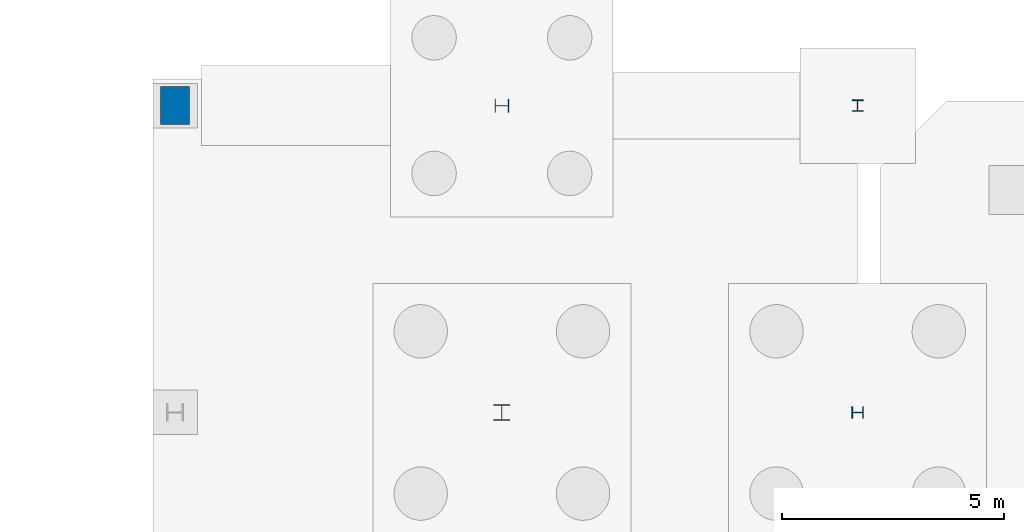
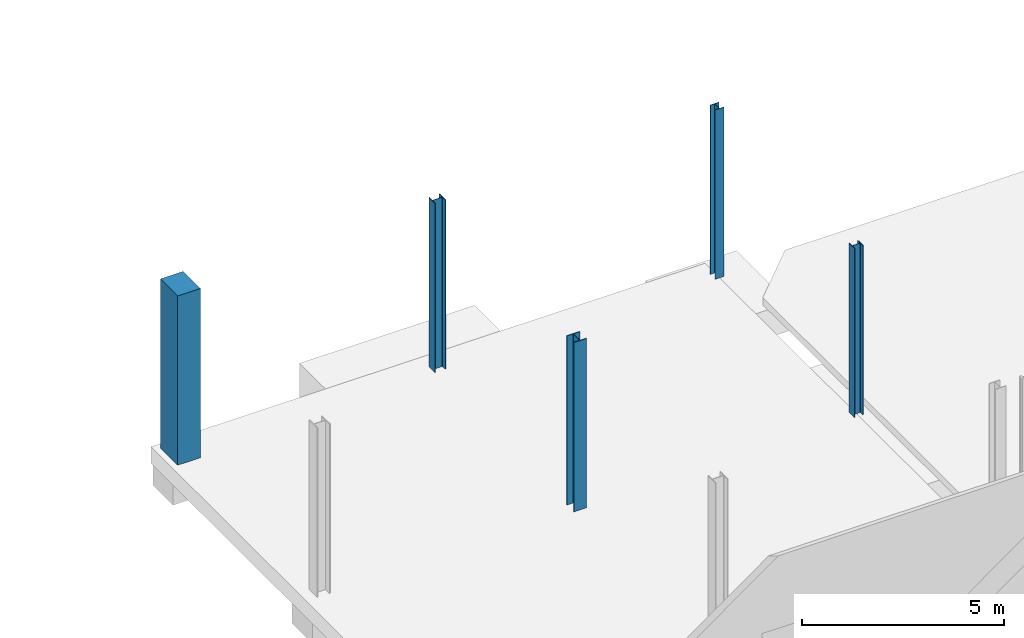
# One storey, part 26 of 87: 5 columns.
"""IFC4 building model written with IfcOpenShell, lengths in metres."""

from ifc_helpers import new_model, si_unit, direction, frame, origin, origin_2d, place, context, subcontext, project, spatial, rectangle, i_section, extrude, material, material_profile, profile_set, type_object, element, save


model = new_model("IFC4")

# Units and contexts
model_context = context("Model", 3, precision=1e-05, world=origin(), true_north=direction((0.0, 1.0)))
body_context = subcontext(model_context, "Body", "Model", "MODEL_VIEW")
ifc_project = project(units=[si_unit("LENGTHUNIT", "METRE"), si_unit("AREAUNIT", "SQUARE_METRE"), si_unit("VOLUMEUNIT", "CUBIC_METRE"), si_unit("PLANEANGLEUNIT", "RADIAN"), si_unit("MASSUNIT", "GRAM", prefix="KILO")], contexts=[model_context])

# Site, building, storey
site_placement = place(None, origin())
site = spatial("IfcSite", under=ifc_project, at=site_placement, CompositionType="ELEMENT")
building_placement = place(site_placement, origin())
building = spatial("IfcBuilding", under=site, at=building_placement, Name="Brisemont Oceanarium", CompositionType="ELEMENT")
storey_placement = place(building_placement, origin())
storey = spatial("IfcBuildingStorey", under=building, at=storey_placement, Name="L00", CompositionType="ELEMENT", Elevation=0.0)

# Columns
ifc_material_1 = material(Name="Structural Steel ASTM A992 Gr.50", Category="steel")
ifc_material_profile_1 = material_profile(ifc_material_1, i_section(OverallWidth=0.25390625, OverallDepth=0.25390625, WebThickness=0.008544921875, FlangeThickness=0.01416015625, FilletRadius=0.010986328125, at=origin_2d()), Name="W10X49")
ifc_profile_set_1 = profile_set([ifc_material_profile_1], Name="Structural Steel ASTM A992 Gr.50")
column_type_1 = type_object("IfcColumnType", Name="COL-W10X49", PredefinedType="COLUMN", material=ifc_profile_set_1)
column_1_placement = place(storey_placement, frame((128.0, 107.39990234375, 0.0), z_axis=(0.0, 0.0, 1.0), x_axis=(1.0, 0.0, 0.0)))
element("IfcColumn", 1, at=column_1_placement, inside=storey, type_object=column_type_1, Name="V6 L00 column (2,4)", PredefinedType="COLUMN", context=body_context, shape_type="SweptSolid", body=[
    extrude(i_section(OverallWidth=0.25390625, OverallDepth=0.25390625, WebThickness=0.008544921875, FlangeThickness=0.01416015625, FilletRadius=0.010986328125, at=origin_2d()), origin(), (0.0, 0.0, 1.0), 5.1201171875),
])
ifc_material_2 = material(Name="Structural Steel ASTM A992 Gr.50", Category="steel")
ifc_material_profile_2 = material_profile(ifc_material_2, i_section(OverallWidth=0.256103515625, OverallDepth=0.260009765625, WebThickness=0.0107421875, FlangeThickness=0.017333984375, FilletRadius=0.010986328125, at=origin_2d()), Name="W10X60")
ifc_profile_set_2 = profile_set([ifc_material_profile_2], Name="Structural Steel ASTM A992 Gr.50")
column_type_2 = type_object("IfcColumnType", Name="COL-W10X60", PredefinedType="COLUMN", material=ifc_profile_set_2)
column_2_placement = place(storey_placement, frame((128.0, 100.5, 0.0), z_axis=(0.0, 0.0, 1.0), x_axis=(0.0, 1.0, 0.0)))
element("IfcColumn", 2, at=column_2_placement, inside=storey, type_object=column_type_2, Name="V6 L00 column (2,3)", PredefinedType="COLUMN", context=body_context, shape_type="SweptSolid", body=[
    extrude(i_section(OverallWidth=0.256103515625, OverallDepth=0.260009765625, WebThickness=0.0107421875, FlangeThickness=0.017333984375, FilletRadius=0.010986328125, at=origin_2d()), origin(), (0.0, 0.0, 1.0), 5.1201171875),
])
ifc_material_3 = material(Name="Structural Steel ASTM A992 Gr.50", Category="steel")
ifc_material_profile_3 = material_profile(ifc_material_3, i_section(OverallWidth=0.30810546875, OverallDepth=0.318115234375, WebThickness=0.01318359375, FlangeThickness=0.0205078125, FilletRadius=0.012939453125, at=origin_2d()), Name="W12X87")
ifc_profile_set_3 = profile_set([ifc_material_profile_3], Name="Structural Steel ASTM A992 Gr.50")
column_type_3 = type_object("IfcColumnType", Name="COL-W12X87", PredefinedType="COLUMN", material=ifc_profile_set_3)
column_3_placement = place(storey_placement, frame((120.0, 107.39990234375, 0.0), z_axis=(0.0, 0.0, 1.0), x_axis=(0.0, 1.0, 0.0)))
element("IfcColumn", 3, at=column_3_placement, inside=storey, type_object=column_type_3, Name="V6 L00 column (1,4)", PredefinedType="COLUMN", context=body_context, shape_type="SweptSolid", body=[
    extrude(i_section(OverallWidth=0.30810546875, OverallDepth=0.318115234375, WebThickness=0.01318359375, FlangeThickness=0.0205078125, FilletRadius=0.012939453125, at=origin_2d()), origin(), (0.0, 0.0, 1.0), 5.1201171875),
])
ifc_material_4 = material(Name="Structural Steel ASTM A992 Gr.50", Category="steel")
ifc_material_profile_4 = material_profile(ifc_material_4, i_section(OverallWidth=0.367919921875, OverallDepth=0.35595703125, WebThickness=0.01123046875, FlangeThickness=0.01806640625, FilletRadius=0.014892578125, at=origin_2d()), Name="W14X90")
ifc_profile_set_4 = profile_set([ifc_material_profile_4], Name="Structural Steel ASTM A992 Gr.50")
column_type_4 = type_object("IfcColumnType", Name="COL-W14X90", PredefinedType="COLUMN", material=ifc_profile_set_4)
column_4_placement = place(storey_placement, frame((120.0, 100.5, 0.0), z_axis=(0.0, 0.0, 1.0), x_axis=(1.0, 0.0, 0.0)))
element("IfcColumn", 4, at=column_4_placement, inside=storey, type_object=column_type_4, Name="V6 L00 column (1,3)", PredefinedType="COLUMN", context=body_context, shape_type="SweptSolid", body=[
    extrude(i_section(OverallWidth=0.367919921875, OverallDepth=0.35595703125, WebThickness=0.01123046875, FlangeThickness=0.01806640625, FilletRadius=0.014892578125, at=origin_2d()), origin(), (0.0, 0.0, 1.0), 5.1201171875),
])
ifc_material_5 = material(Name="Precast Concrete C40/50", Category="concrete")
ifc_material_profile_5 = material_profile(ifc_material_5, rectangle(XDim=0.64990234375, YDim=0.85009765625, at=origin_2d()), Name="RC-PIL-650X850")
ifc_profile_set_5 = profile_set([ifc_material_profile_5], Name="Precast Concrete C40/50")
column_type_5 = type_object("IfcColumnType", Name="PIL-RC650X850", PredefinedType="PILASTER", material=ifc_profile_set_5)
column_5_placement = place(storey_placement, frame((112.64990234375, 107.39990234375, 0.0), z_axis=(0.0, 0.0, 1.0), x_axis=(1.0, 0.0, 0.0)))
element("IfcColumn", 5, at=column_5_placement, inside=storey, type_object=column_type_5, Name="V6 L00 column (0,4)", PredefinedType="PILASTER", context=body_context, shape_type="SweptSolid", body=[
    extrude(rectangle(XDim=0.64990234375, YDim=0.85009765625, at=origin_2d()), origin(), (0.0, 0.0, 1.0), 5.1201171875),
])

save(model, "model.ifc")
